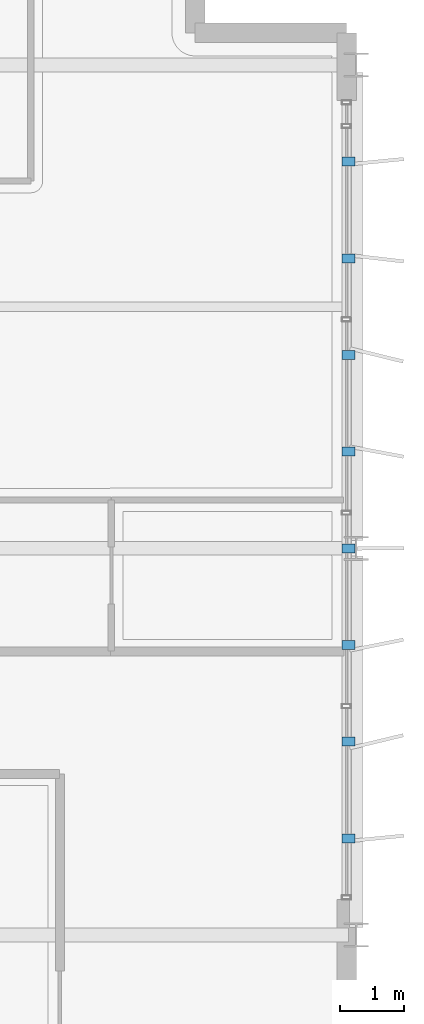
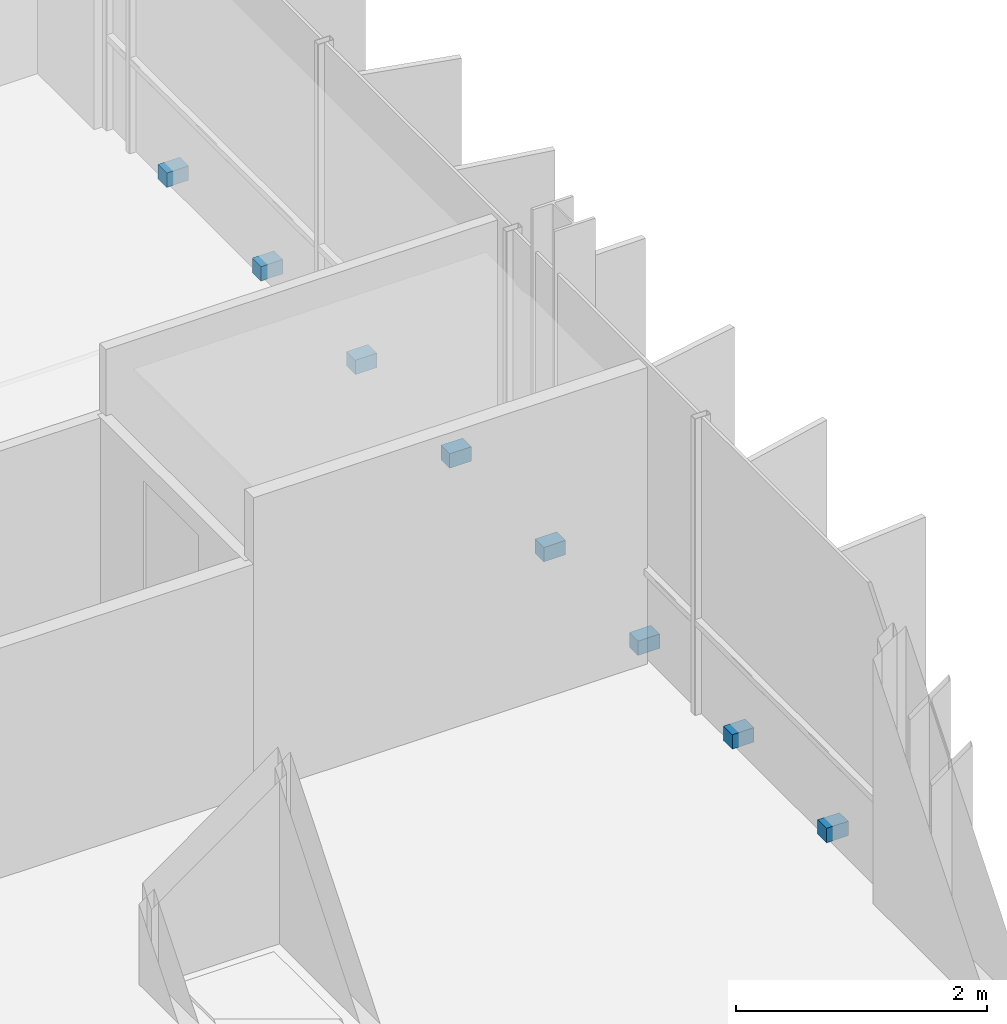
# One storey, part 28 of 30: 8 discrete accessories.
"""IFC4 building model written with IfcOpenShell, lengths in metres."""

from ifc_helpers import new_model, si_unit, direction, frame, origin, origin_2d, place, context, subcontext, project, spatial, rectangle, extrude, material, type_object, element, save


model = new_model("IFC4")

# Units and contexts
model_context = context("Model", 3, precision=1e-05, world=origin(), true_north=direction((0.0, 1.0)))
body_context = subcontext(model_context, "Body", "Model", "MODEL_VIEW")
ifc_project = project(units=[si_unit("LENGTHUNIT", "METRE"), si_unit("AREAUNIT", "SQUARE_METRE"), si_unit("VOLUMEUNIT", "CUBIC_METRE"), si_unit("PLANEANGLEUNIT", "RADIAN"), si_unit("MASSUNIT", "GRAM", prefix="KILO")], contexts=[model_context])

# Site, building, storey
site_placement = place(None, origin())
site = spatial("IfcSite", under=ifc_project, at=site_placement, CompositionType="ELEMENT")
building_placement = place(site_placement, origin())
building = spatial("IfcBuilding", under=site, at=building_placement, Name="Brevholm Reach", CompositionType="ELEMENT")
storey_placement = place(building_placement, frame((0.0, 0.0, 211.10009765625)))
storey = spatial("IfcBuildingStorey", under=building, at=storey_placement, Name="L64", CompositionType="ELEMENT", Elevation=211.10009765625)

# Discrete accessories
ifc_material = material(Name="Duplex Stainless Steel EN 1.4462", Category="steel")
discrete_accessory_type = type_object("IfcDiscreteAccessoryType", Name="ACC-BRK-01", PredefinedType="BRACKET", material=ifc_material)
for number, where, z_axis, x_axis, name in (
    (1, (59.8798828125, 11.5, 0.02978515625), (0.0, 0.0, 1.0), (1.0, 0.0, 0.0), "L64 Solar Screen Support Bracket 1"),
    (2, (59.8798828125, 13.0, 0.02978515625), (0.0, 0.0, 1.0), (1.0, 0.0, 0.0), "L64 Solar Screen Support Bracket 2"),
    (3, (59.8798828125, 14.5, 0.02978515625), (0.0, 0.0, 1.0), (1.0, 0.0, 0.0), "L64 Solar Screen Support Bracket 3"),
    (4, (59.8798828125, 16.0, 0.02978515625), (0.0, 0.0, 1.0), (1.0, 0.0, 0.0), "L64 Solar Screen Support Bracket 4"),
    (5, (59.8798828125, 17.5, 0.02978515625), (0.0, 0.0, 1.0), (1.0, 0.0, 0.0), "L64 Solar Screen Support Bracket 5"),
    (6, (59.8798828125, 19.0, 0.02978515625), (0.0, 0.0, 1.0), (1.0, 0.0, 0.0), "L64 Solar Screen Support Bracket 6"),
    (7, (59.8798828125, 20.5, 0.02978515625), (0.0, 0.0, 1.0), (1.0, 0.0, 0.0), "L64 Solar Screen Support Bracket 7"),
    (8, (59.8798828125, 22.0, 0.02978515625), (0.0, 0.0, 1.0), (1.0, 0.0, 0.0), "L64 Solar Screen Support Bracket 8"),
):
    element("IfcDiscreteAccessory", number, at=place(storey_placement, frame(where, z_axis=z_axis, x_axis=x_axis)), inside=storey, type_object=discrete_accessory_type, Name=name, PredefinedType="BRACKET", context=body_context, shape_type="SweptSolid", body=[
        extrude(rectangle(XDim=0.199951171875, YDim=0.139892578125, at=origin_2d()), origin(), (0.0, 0.0, 1.0), 0.139892578125),
    ])

save(model, "model.ifc")
